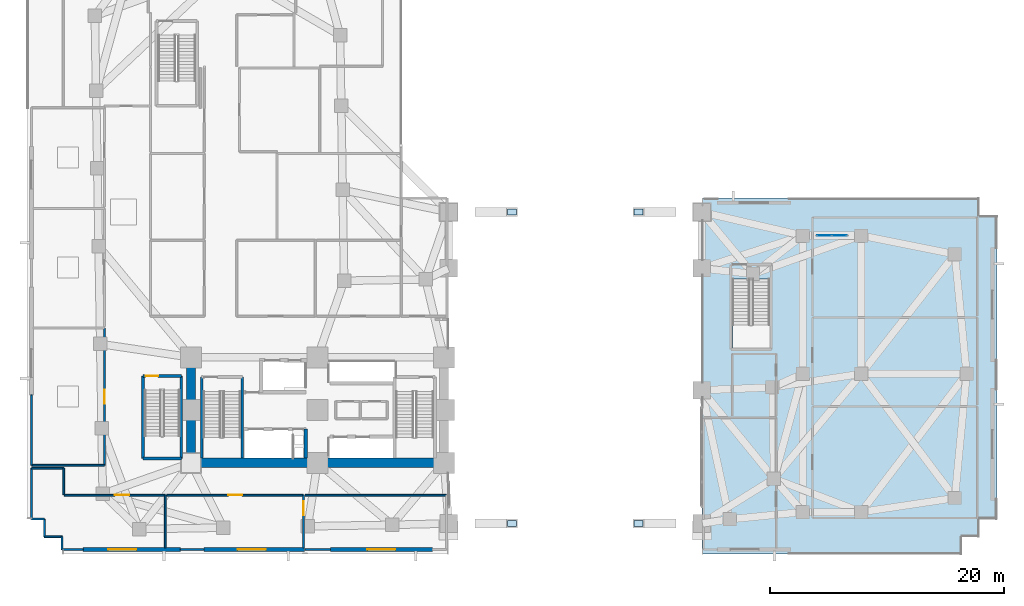
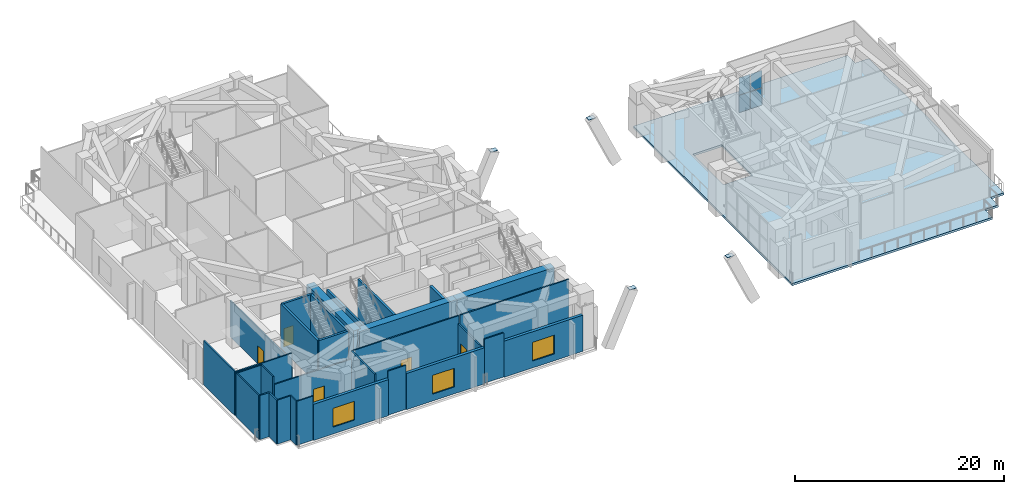
# One storey, part 7 of 18: 31 walls, 8 plates, 5 doors, 3 windows, 1 slab, 8 openings, 1 element without a shape of its own.
"""IFC4 building model written with IfcOpenShell, lengths in metres."""

from ifc_helpers import new_model, si_unit, direction, frame, frame_2d, origin, origin_2d, place, context, subcontext, project, spatial, polyline, rectangle, outline, extrude, material, layer, layer_set, type_object, element, fill, aggregate, save


model = new_model("IFC4")

# Units and contexts
model_context = context("Model", 3, precision=1e-05, world=origin(), true_north=direction((0.0, 1.0)))
body_context = subcontext(model_context, "Body", "Model", "MODEL_VIEW")
ifc_project = project(units=[si_unit("LENGTHUNIT", "METRE"), si_unit("AREAUNIT", "SQUARE_METRE"), si_unit("VOLUMEUNIT", "CUBIC_METRE"), si_unit("PLANEANGLEUNIT", "RADIAN"), si_unit("MASSUNIT", "GRAM", prefix="KILO")], contexts=[model_context])

# Site, building, storey
site_placement = place(None, origin())
site = spatial("IfcSite", under=ifc_project, at=site_placement, CompositionType="ELEMENT")
building_placement = place(site_placement, origin())
building = spatial("IfcBuilding", under=site, at=building_placement, Name="Gaonmaruhae Medical Tower", CompositionType="ELEMENT")
storey_placement = place(building_placement, frame((0.0, 0.0, 16.199951171875)))
storey = spatial("IfcBuildingStorey", under=building, at=storey_placement, Name="L03", CompositionType="ELEMENT", Elevation=16.199951171875)

# Plates
ifc_material_1 = material(Name="Steel HSA650 (650 MPa)", Category="steel")
ifc_layer_1 = layer(ifc_material_1, 0.0400390625)
ifc_layer_set_1 = layer_set([ifc_layer_1], Name="Steel HSA650 (650 MPa)")
plate_type_1 = type_object("IfcPlateType", Name="BP-P1 Column & Arch Base Bearing Plate", PredefinedType="USERDEFINED", material=ifc_layer_set_1)
for number, where, z_axis, x_axis, name in (
    (1, (41.39990234375, 2.6259765625, 3.580078125), (0.0, 0.0, 1.0), (1.0, 0.0, 0.0), "L03 Gusset Cap Plate PLT-ARCH-S2A"),
    (2, (52.199951171875, 2.6259765625, 3.580078125), (0.0, 0.0, 1.0), (1.0, 0.0, 0.0), "L03 Gusset Cap Plate PLT-ARCH-S6A"),
    (3, (41.39990234375, 29.199951171875, 3.580078125), (0.0, 0.0, 1.0), (1.0, 0.0, 0.0), "L03 Gusset Cap Plate PLT-ARCH-N2A"),
    (4, (52.199951171875, 29.199951171875, 3.580078125), (0.0, 0.0, 1.0), (1.0, 0.0, 0.0), "L03 Gusset Cap Plate PLT-ARCH-N6A"),
):
    element("IfcPlate", number, at=place(storey_placement, frame(where, z_axis=z_axis, x_axis=x_axis)), inside=storey, type_object=plate_type_1, Name=name, ObjectType="BASE_PLATE", PredefinedType="USERDEFINED", context=body_context, shape_type="SweptSolid", body=[
        extrude(rectangle(XDim=0.75, YDim=0.52001953125, at=origin_2d()), origin(), (0.0, 0.0, 1.0), 0.0400390625),
    ])

# Curtain wall, plates
ifc_material_2 = material(Name="Anodised aluminium and Low-E double glazing", Category="aluminium")
curtain_wall_type = type_object("IfcCurtainWallType", Name="CW-S6 Podium Diagnostic Atrium Curtain Wall", PredefinedType="NOTDEFINED", material=ifc_material_2)
curtain_wall_placement = place(storey_placement, origin())
curtain_wall = element("IfcCurtainWall", 5, at=curtain_wall_placement, inside=storey, type_object=curtain_wall_type, Name="L03 Curtain Wall CW-L03-S6A", PredefinedType="NOTDEFINED")
ifc_material_3 = material(Name="Low-E double solar glass", Category="glass")
ifc_layer_2 = layer(ifc_material_3, 0.028076171875)
ifc_layer_set_2 = layer_set([ifc_layer_2], Name="Low-E double solar glass")
plate_type_2 = type_object("IfcPlateType", Name="CWP-V1 Low-E Double Vision Glazing Panel", PredefinedType="CURTAIN_PANEL", material=ifc_layer_set_2)
plate_1_placement = place(storey_placement, frame((68.052734375, 27.199951171875, 0.0751953125), z_axis=(0.0, 0.0, 1.0), x_axis=(1.0, 0.0, 0.0)))
plate_1 = element("IfcPlate", 6, at=plate_1_placement, type_object=plate_type_2, Name="CW-S6 panel 1.1", PredefinedType="CURTAIN_PANEL", context=body_context, shape_type="SweptSolid", body=[
    extrude(rectangle(XDim=1.229248046875, YDim=0.028076171875, at=origin_2d()), origin(), (0.0, 0.0, 1.0), 2.00244140625),
])
plate_2_placement = place(storey_placement, frame((68.052734375, 27.199951171875, 2.152587890625), z_axis=(0.0, 0.0, 1.0), x_axis=(1.0, 0.0, 0.0)))
plate_2 = element("IfcPlate", 7, at=plate_2_placement, type_object=plate_type_2, Name="CW-S6 panel 1.2", PredefinedType="CURTAIN_PANEL", context=body_context, shape_type="SweptSolid", body=[
    extrude(rectangle(XDim=1.229248046875, YDim=0.028076171875, at=origin_2d()), origin(), (0.0, 0.0, 1.0), 2.00244140625),
])
plate_3_placement = place(storey_placement, frame((69.34716796875, 27.199951171875, 0.0751953125), z_axis=(0.0, 0.0, 1.0), x_axis=(1.0, 0.0, 0.0)))
plate_3 = element("IfcPlate", 8, at=plate_3_placement, type_object=plate_type_2, Name="CW-S6 panel 2.1", PredefinedType="CURTAIN_PANEL", context=body_context, shape_type="SweptSolid", body=[
    extrude(rectangle(XDim=1.229248046875, YDim=0.028076171875, at=origin_2d()), origin(), (0.0, 0.0, 1.0), 2.00244140625),
])
plate_4_placement = place(storey_placement, frame((69.34716796875, 27.199951171875, 2.152587890625), z_axis=(0.0, 0.0, 1.0), x_axis=(1.0, 0.0, 0.0)))
plate_4 = element("IfcPlate", 9, at=plate_4_placement, type_object=plate_type_2, Name="CW-S6 panel 2.2", PredefinedType="CURTAIN_PANEL", context=body_context, shape_type="SweptSolid", body=[
    extrude(rectangle(XDim=1.229248046875, YDim=0.028076171875, at=origin_2d()), origin(), (0.0, 0.0, 1.0), 2.00244140625),
])
aggregate(curtain_wall, [plate_1, plate_2, plate_3, plate_4])

# Slab
ifc_material_4 = material(Name="Concrete C40/50", Category="concrete")
ifc_layer_3 = layer(ifc_material_4, 0.25)
ifc_layer_set_3 = layer_set([ifc_layer_3], Name="Concrete C40/50")
slab_type = type_object("IfcSlabType", Name="FS-250 Podium & Basement Floor Slab", PredefinedType="FLOOR", material=ifc_layer_set_3)
slab_placement = place(storey_placement, frame((0.0, 0.0, -0.25)))
element("IfcSlab", 10, at=slab_placement, inside=storey, type_object=slab_type, Name="L03 Structural Slab 2", PredefinedType="FLOOR", context=body_context, shape_type="SweptSolid", body=[
    extrude(outline(polyline([(81.300048828125, 30.39990234375), (81.300048828125, 28.89990234375), (82.800048828125, 28.89990234375), (82.800048828125, 3.0), (81.300048828125, 3.0), (81.300048828125, 1.5), (79.800048828125, 1.5), (79.800048828125, 0.0), (57.60009765625, 0.0), (57.60009765625, 30.39990234375), (81.300048828125, 30.39990234375)]), holes=[polyline([(63.39990234375, 23.489990234375), (63.39990234375, 17.60009765625), (60.199951171875, 17.60009765625), (60.199951171875, 23.489990234375), (63.39990234375, 23.489990234375)])]), origin(), (0.0, 0.0, 1.0), 0.25),
])

# Walls
ifc_material_5 = material(Name="Concrete C60/75", Category="concrete")
ifc_layer_4 = layer(ifc_material_5, 0.800048828125)
ifc_layer_set_4 = layer_set([ifc_layer_4], Name="Concrete C60/75")
wall_type_1 = type_object("IfcWallType", Name="CW-800 Lower Core Shear Wall", PredefinedType="SHEAR", material=ifc_layer_set_4)
for number, where, z_axis, x_axis, name in (
    (11, (14.0, 7.800048828125, 0.0), (0.0, 0.0, 1.0), (1.0, 0.0, 0.0), "L03 Core Shear Wall CSW-S1"),
    (12, (24.800048828125, 7.800048828125, 0.0), (0.0, 0.0, 1.0), (1.0, 0.0, 0.0), "L03 Core Shear Wall CSW-S2"),
):
    element("IfcWall", number, at=place(storey_placement, frame(where, z_axis=z_axis, x_axis=x_axis)), inside=storey, type_object=wall_type_1, Name=name, PredefinedType="SHEAR", context=body_context, shape_type="SweptSolid", body=[
        extrude(rectangle(XDim=10.800048828125, YDim=0.800048828125, at=frame_2d((5.39990234375, 0.0))), origin(), (0.0, 0.0, 1.0), 5.150146484375),
    ])
wall_1_placement = place(storey_placement, frame((14.0, 16.800048828125, 0.0), z_axis=(0.0, 0.0, 1.0), x_axis=(0.0, -1.0, 0.0)))
element("IfcWall", 13, at=wall_1_placement, inside=storey, type_object=wall_type_1, Name="L03 Core Shear Wall CSW-W1", PredefinedType="SHEAR", context=body_context, shape_type="SweptSolid", body=[
    extrude(rectangle(XDim=9.0, YDim=0.800048828125, at=frame_2d((4.5, 0.0))), origin(), (0.0, 0.0, 1.0), 5.150146484375),
])

# Wall, opening, window
ifc_material_6 = material(Name="Precast concrete C45/55", Category="concrete")
ifc_layer_5 = layer(ifc_material_6, 0.320068359375)
ifc_layer_set_5 = layer_set([ifc_layer_5], Name="Precast concrete C45/55")
wall_type_2 = type_object("IfcWallType", Name="EW-320 Lower Precast Masonry-Frame Facade Wall", PredefinedType="SOLIDWALL", material=ifc_layer_set_5)
wall_2_placement = place(storey_placement, frame((13.10009765625, 0.39990234375, 0.0), z_axis=(0.0, 0.0, 1.0), x_axis=(-1.0, 0.0, 0.0)))
wall_2 = element("IfcWall", 14, at=wall_2_placement, inside=storey, type_object=wall_type_2, Name="L03 Precast Facade Wall PB-S1", PredefinedType="SOLIDWALL", context=body_context, shape_type="SweptSolid", body=[
    extrude(rectangle(XDim=8.300048828125, YDim=0.320068359375, at=frame_2d((4.14990234375, 0.0))), origin(), (0.0, 0.0, 1.0), 4.22998046875),
])
opening_1_placement = place(wall_2_placement, frame((3.764892578125, 0.0, 0.800048828125)))
opening_1 = element("IfcOpeningElement", 15, at=opening_1_placement, cuts=wall_2, Name="Opening WN-06", PredefinedType="OPENING", context=body_context, shape_type="SweptSolid", body=[
    extrude(rectangle(XDim=2.39990234375, YDim=2.199951171875, at=frame_2d((1.199951171875, 1.10009765625))), frame((0.0, 0.169921875, 0.0), z_axis=(0.0, -1.0, 0.0), x_axis=(1.0, 0.0, 0.0)), (0.0, 0.0, 1.0), 0.340087890625),
])
window_type = type_object("IfcWindowType", Name="WN-06 Podium Diagnostic Punched Window 2400x2200", PartitioningType="SINGLE_PANEL", PredefinedType="WINDOW", material=ifc_material_2)
window_1_placement = place(opening_1_placement, origin())
window_1 = element("IfcWindow", 16, at=window_1_placement, inside=storey, type_object=window_type, Name="L03 Podium Punched Window PB-S1", OverallHeight=2.199951171875, OverallWidth=2.39990234375, PartitioningType="SINGLE_PANEL", PredefinedType="WINDOW", context=body_context, shape_type="SweptSolid", body=[
    extrude(rectangle(XDim=2.39990234375, YDim=2.199951171875, at=frame_2d((1.199951171875, 1.10009765625))), frame((0.0, 0.030029296875, 0.0), z_axis=(0.0, -1.0, 0.0), x_axis=(1.0, 0.0, 0.0)), (0.0, 0.0, 1.0), 0.06005859375),
])
fill(opening_1, window_1)

wall_3_placement = place(storey_placement, frame((23.699951171875, 0.39990234375, 0.0), z_axis=(0.0, 0.0, 1.0), x_axis=(-1.0, 0.0, 0.0)))
wall_3 = element("IfcWall", 17, at=wall_3_placement, inside=storey, type_object=wall_type_2, Name="L03 Precast Facade Wall PB-S2", PredefinedType="SOLIDWALL", context=body_context, shape_type="SweptSolid", body=[
    extrude(rectangle(XDim=8.599853515625, YDim=0.320068359375, at=frame_2d((4.2998046875, 0.0))), origin(), (0.0, 0.0, 1.0), 4.22998046875),
])
opening_2_placement = place(wall_3_placement, frame((3.31494140625, 0.0, 0.800048828125)))
opening_2 = element("IfcOpeningElement", 18, at=opening_2_placement, cuts=wall_3, Name="Opening WN-06", PredefinedType="OPENING", context=body_context, shape_type="SweptSolid", body=[
    extrude(rectangle(XDim=2.39990234375, YDim=2.199951171875, at=frame_2d((1.199951171875, 1.10009765625))), frame((0.0, 0.169921875, 0.0), z_axis=(0.0, -1.0, 0.0), x_axis=(1.0, 0.0, 0.0)), (0.0, 0.0, 1.0), 0.340087890625),
])
window_2_placement = place(opening_2_placement, origin())
window_2 = element("IfcWindow", 19, at=window_2_placement, inside=storey, type_object=window_type, Name="L03 Podium Punched Window PB-S2", OverallHeight=2.199951171875, OverallWidth=2.39990234375, PartitioningType="SINGLE_PANEL", PredefinedType="WINDOW", context=body_context, shape_type="SweptSolid", body=[
    extrude(rectangle(XDim=2.39990234375, YDim=2.199951171875, at=frame_2d((1.199951171875, 1.10009765625))), frame((0.0, 0.030029296875, 0.0), z_axis=(0.0, -1.0, 0.0), x_axis=(1.0, 0.0, 0.0)), (0.0, 0.0, 1.0), 0.06005859375),
])
fill(opening_2, window_2)

wall_4_placement = place(storey_placement, frame((34.60009765625, 0.39990234375, 0.0), z_axis=(0.0, 0.0, 1.0), x_axis=(-1.0, 0.0, 0.0)))
wall_4 = element("IfcWall", 20, at=wall_4_placement, inside=storey, type_object=wall_type_2, Name="L03 Precast Facade Wall PB-S3", PredefinedType="SOLIDWALL", context=body_context, shape_type="SweptSolid", body=[
    extrude(rectangle(XDim=8.7001953125, YDim=0.320068359375, at=frame_2d((4.35009765625, 0.0))), origin(), (0.0, 0.0, 1.0), 4.22998046875),
])
opening_3_placement = place(wall_4_placement, frame((3.14990234375, 0.0, 0.800048828125)))
opening_3 = element("IfcOpeningElement", 21, at=opening_3_placement, cuts=wall_4, Name="Opening WN-06", PredefinedType="OPENING", context=body_context, shape_type="SweptSolid", body=[
    extrude(rectangle(XDim=2.39990234375, YDim=2.199951171875, at=frame_2d((1.199951171875, 1.10009765625))), frame((0.0, 0.169921875, 0.0), z_axis=(0.0, -1.0, 0.0), x_axis=(1.0, 0.0, 0.0)), (0.0, 0.0, 1.0), 0.340087890625),
])
window_3_placement = place(opening_3_placement, origin())
window_3 = element("IfcWindow", 22, at=window_3_placement, inside=storey, type_object=window_type, Name="L03 Podium Punched Window PB-S3", OverallHeight=2.199951171875, OverallWidth=2.39990234375, PartitioningType="SINGLE_PANEL", PredefinedType="WINDOW", context=body_context, shape_type="SweptSolid", body=[
    extrude(rectangle(XDim=2.39990234375, YDim=2.199951171875, at=frame_2d((1.199951171875, 1.10009765625))), frame((0.0, 0.030029296875, 0.0), z_axis=(0.0, -1.0, 0.0), x_axis=(1.0, 0.0, 0.0)), (0.0, 0.0, 1.0), 0.06005859375),
])
fill(opening_3, window_3)

# Wall, opening, door
ifc_material_7 = material(Name="Gypsum board partition", Category="gypsum")
ifc_layer_6 = layer(ifc_material_7, 0.14990234375)
ifc_layer_set_6 = layer_set([ifc_layer_6], Name="Gypsum board partition")
wall_type_3 = type_object("IfcWallType", Name="PW-150 Rated Clinical Corridor Partition", PredefinedType="PARTITIONING", material=ifc_layer_set_6)
wall_5_placement = place(storey_placement, frame((6.6201171875, 19.300048828125, 0.0), z_axis=(0.0, 0.0, 1.0), x_axis=(0.0, -1.0, 0.0)))
wall_5 = element("IfcWall", 23, at=wall_5_placement, inside=storey, type_object=wall_type_3, Name="L03 Interior Partition L03-WP1-9", PredefinedType="PARTITIONING", context=body_context, shape_type="SweptSolid", body=[
    extrude(rectangle(XDim=11.699951171875, YDim=0.14990234375, at=frame_2d((5.85009765625, 0.0))), origin(), (0.0, 0.0, 1.0), 4.235107421875),
])
opening_4_placement = place(wall_5_placement, frame((5.25, 0.0, 0.0)))
opening_4 = element("IfcOpeningElement", 24, at=opening_4_placement, cuts=wall_5, Name="Opening CD-02", PredefinedType="OPENING", context=body_context, shape_type="SweptSolid", body=[
    extrude(rectangle(XDim=1.199951171875, YDim=2.14990234375, at=frame_2d((0.60009765625, 1.074951171875))), frame((0.0, 0.0849609375, 0.0), z_axis=(0.0, -1.0, 0.0), x_axis=(1.0, 0.0, 0.0)), (0.0, 0.0, 1.0), 0.169921875),
])
ifc_material_8 = material(Name="Antimicrobial laminate timber fire door", Category="wood")
door_type_1 = type_object("IfcDoorType", Name="CD-02 Clinical Treatment & Procedure Door 1200x2150", OperationType="NOTDEFINED", PredefinedType="DOOR", material=ifc_material_8)
door_1_placement = place(opening_4_placement, origin())
door_1 = element("IfcDoor", 25, at=door_1_placement, inside=storey, type_object=door_type_1, Name="L03 L03 Outpatient Consultation Clinic A Door", OperationType="SINGLE_SWING_LEFT", OverallHeight=2.14990234375, OverallWidth=1.199951171875, PredefinedType="DOOR", context=body_context, shape_type="SweptSolid", body=[
    extrude(rectangle(XDim=1.199951171875, YDim=2.14990234375, at=frame_2d((0.60009765625, 1.074951171875))), frame((0.0, 0.02490234375, 0.0), z_axis=(0.0, -1.0, 0.0), x_axis=(1.0, 0.0, 0.0)), (0.0, 0.0, 1.0), 0.050048828125),
])
fill(opening_4, door_1)

# Walls
wall_6_placement = place(storey_placement, frame((6.6201171875, 7.60009765625, 0.0), z_axis=(0.0, 0.0, 1.0), x_axis=(-1.0, 0.0, 0.0)))
element("IfcWall", 26, at=wall_6_placement, inside=storey, type_object=wall_type_3, Name="L03 Interior Partition L03-WP1-10", PredefinedType="PARTITIONING", context=body_context, shape_type="SweptSolid", body=[
    extrude(rectangle(XDim=6.22021484375, YDim=0.14990234375, at=frame_2d((3.110107421875, 0.0))), origin(), (0.0, 0.0, 1.0), 5.150146484375),
])
wall_7_placement = place(storey_placement, frame((0.39990234375, 7.60009765625, 0.0), z_axis=(0.0, 0.0, 1.0), x_axis=(0.0, 1.0, 0.0)))
element("IfcWall", 27, at=wall_7_placement, inside=storey, type_object=wall_type_3, Name="L03 Interior Partition L03-WP1-11", PredefinedType="PARTITIONING", context=body_context, shape_type="SweptSolid", body=[
    extrude(rectangle(XDim=6.0, YDim=0.14990234375, at=frame_2d((3.0, 0.0))), origin(), (0.0, 0.0, 1.0), 5.150146484375),
])

# Wall, opening, door
wall_8_placement = place(storey_placement, frame((3.199951171875, 5.0400390625, 0.0), z_axis=(0.0, 0.0, 1.0), x_axis=(1.0, 0.0, 0.0)))
wall_8 = element("IfcWall", 28, at=wall_8_placement, inside=storey, type_object=wall_type_3, Name="L03 Interior Partition L03-S1-40", PredefinedType="PARTITIONING", context=body_context, shape_type="SweptSolid", body=[
    extrude(rectangle(XDim=8.60009765625, YDim=0.14990234375, at=frame_2d((4.300048828125, 0.0))), origin(), (0.0, 0.0, 1.0), 4.235107421875),
])
opening_5_placement = place(wall_8_placement, frame((4.315673828125, 0.0, 0.0)))
opening_5 = element("IfcOpeningElement", 29, at=opening_5_placement, cuts=wall_8, Name="Opening CD-02", PredefinedType="OPENING", context=body_context, shape_type="SweptSolid", body=[
    extrude(rectangle(XDim=1.199951171875, YDim=2.14990234375, at=frame_2d((0.60009765625, 1.074951171875))), frame((0.0, 0.0849609375, 0.0), z_axis=(0.0, -1.0, 0.0), x_axis=(1.0, 0.0, 0.0)), (0.0, 0.0, 1.0), 0.169921875),
])
door_2_placement = place(opening_5_placement, origin())
door_2 = element("IfcDoor", 30, at=door_2_placement, inside=storey, type_object=door_type_1, Name="L03 Surgical Operating Room Door", OperationType="SINGLE_SWING_RIGHT", OverallHeight=2.14990234375, OverallWidth=1.199951171875, PredefinedType="DOOR", context=body_context, shape_type="SweptSolid", body=[
    extrude(rectangle(XDim=1.199951171875, YDim=2.14990234375, at=frame_2d((0.60009765625, 1.074951171875))), frame((0.0, 0.02490234375, 0.0), z_axis=(0.0, -1.0, 0.0), x_axis=(1.0, 0.0, 0.0)), (0.0, 0.0, 1.0), 0.050048828125),
])
fill(opening_5, door_2)

# Walls
wall_9_placement = place(storey_placement, frame((11.800048828125, 5.0400390625, 0.0), z_axis=(0.0, 0.0, 1.0), x_axis=(0.0, -1.0, 0.0)))
element("IfcWall", 31, at=wall_9_placement, inside=storey, type_object=wall_type_3, Name="L03 Interior Partition L03-S1-41", PredefinedType="PARTITIONING", context=body_context, shape_type="SweptSolid", body=[
    extrude(rectangle(XDim=4.505126953125, YDim=0.14990234375, at=frame_2d((2.25244140625, 0.0))), origin(), (0.0, 0.0, 1.0), 5.150146484375),
])
wall_10_placement = place(storey_placement, frame((4.800048828125, 0.39990234375, 0.0), z_axis=(0.0, 0.0, 1.0), x_axis=(-1.0, 0.0, 0.0)))
element("IfcWall", 32, at=wall_10_placement, inside=storey, type_object=wall_type_3, Name="L03 Interior Partition L03-S1-42", PredefinedType="PARTITIONING", context=body_context, shape_type="SweptSolid", body=[
    extrude(rectangle(XDim=1.800048828125, YDim=0.14990234375, at=frame_2d((0.89990234375, 0.0))), origin(), (0.0, 0.0, 1.0), 5.150146484375),
])
wall_11_placement = place(storey_placement, frame((3.0, 0.39990234375, 0.0), z_axis=(0.0, 0.0, 1.0), x_axis=(0.0, 1.0, 0.0)))
element("IfcWall", 33, at=wall_11_placement, inside=storey, type_object=wall_type_3, Name="L03 Interior Partition L03-S1-43", PredefinedType="PARTITIONING", context=body_context, shape_type="SweptSolid", body=[
    extrude(rectangle(XDim=1.10009765625, YDim=0.14990234375, at=frame_2d((0.550048828125, 0.0))), origin(), (0.0, 0.0, 1.0), 5.150146484375),
])
for number, where, z_axis, x_axis, name in (
    (34, (3.0, 1.5, 0.0), (0.0, 0.0, 1.0), (-1.0, 0.0, 0.0), "L03 Interior Partition L03-S1-44"),
    (35, (1.5, 1.5, 0.0), (0.0, 0.0, 1.0), (0.0, 1.0, 0.0), "L03 Interior Partition L03-S1-45"),
):
    element("IfcWall", number, at=place(storey_placement, frame(where, z_axis=z_axis, x_axis=x_axis)), inside=storey, type_object=wall_type_3, Name=name, PredefinedType="PARTITIONING", context=body_context, shape_type="SweptSolid", body=[
        extrude(rectangle(XDim=1.5, YDim=0.14990234375, at=frame_2d((0.75, 0.0))), origin(), (0.0, 0.0, 1.0), 5.150146484375),
    ])
wall_12_placement = place(storey_placement, frame((1.5, 3.0, 0.0), z_axis=(0.0, 0.0, 1.0), x_axis=(-1.0, 0.0, 0.0)))
element("IfcWall", 36, at=wall_12_placement, inside=storey, type_object=wall_type_3, Name="L03 Interior Partition L03-S1-46", PredefinedType="PARTITIONING", context=body_context, shape_type="SweptSolid", body=[
    extrude(rectangle(XDim=1.10009765625, YDim=0.14990234375, at=frame_2d((0.550048828125, 0.0))), origin(), (0.0, 0.0, 1.0), 5.150146484375),
])
wall_13_placement = place(storey_placement, frame((0.39990234375, 3.0, 0.0), z_axis=(0.0, 0.0, 1.0), x_axis=(0.0, 1.0, 0.0)))
element("IfcWall", 37, at=wall_13_placement, inside=storey, type_object=wall_type_3, Name="L03 Interior Partition L03-S1-47", PredefinedType="PARTITIONING", context=body_context, shape_type="SweptSolid", body=[
    extrude(rectangle(XDim=4.35009765625, YDim=0.14990234375, at=frame_2d((2.175048828125, 0.0))), origin(), (0.0, 0.0, 1.0), 5.150146484375),
])
wall_14_placement = place(storey_placement, frame((0.39990234375, 7.35009765625, 0.0), z_axis=(0.0, 0.0, 1.0), x_axis=(1.0, 0.0, 0.0)))
element("IfcWall", 38, at=wall_14_placement, inside=storey, type_object=wall_type_3, Name="L03 Interior Partition L03-S1-48", PredefinedType="PARTITIONING", context=body_context, shape_type="SweptSolid", body=[
    extrude(rectangle(XDim=2.739990234375, YDim=0.14990234375, at=frame_2d((1.3701171875, 0.0))), origin(), (0.0, 0.0, 1.0), 5.150146484375),
])
wall_15_placement = place(storey_placement, frame((3.139892578125, 7.35009765625, 0.0), z_axis=(0.0, 0.0, 1.0), x_axis=(0.0, -1.0, 0.0)))
element("IfcWall", 39, at=wall_15_placement, inside=storey, type_object=wall_type_3, Name="L03 Interior Partition L03-S1-49", PredefinedType="PARTITIONING", context=body_context, shape_type="SweptSolid", body=[
    extrude(rectangle(XDim=2.256103515625, YDim=0.14990234375, at=frame_2d((1.1279296875, 0.0))), origin(), (0.0, 0.0, 1.0), 5.150146484375),
])
wall_16_placement = place(storey_placement, frame((15.10009765625, 0.39990234375, 0.0), z_axis=(0.0, 0.0, 1.0), x_axis=(-1.0, 0.0, 0.0)))
element("IfcWall", 40, at=wall_16_placement, inside=storey, type_object=wall_type_3, Name="L03 Interior Partition L03-S2-50", PredefinedType="PARTITIONING", context=body_context, shape_type="SweptSolid", body=[
    extrude(rectangle(XDim=2.0, YDim=0.14990234375, at=frame_2d((1.0, 0.0))), origin(), (0.0, 0.0, 1.0), 5.150146484375),
])

# Wall, opening, door
wall_17_placement = place(storey_placement, frame((11.949951171875, 5.0400390625, 0.0), z_axis=(0.0, 0.0, 1.0), x_axis=(1.0, 0.0, 0.0)))
wall_17 = element("IfcWall", 41, at=wall_17_placement, inside=storey, type_object=wall_type_3, Name="L03 Interior Partition L03-S2-51", PredefinedType="PARTITIONING", context=body_context, shape_type="SweptSolid", body=[
    extrude(rectangle(XDim=11.650146484375, YDim=0.14990234375, at=frame_2d((5.8251953125, 0.0))), origin(), (0.0, 0.0, 1.0), 5.150146484375),
])
opening_6_placement = place(wall_17_placement, frame((5.22509765625, 0.0, 0.0)))
opening_6 = element("IfcOpeningElement", 42, at=opening_6_placement, cuts=wall_17, Name="Opening CD-02", PredefinedType="OPENING", context=body_context, shape_type="SweptSolid", body=[
    extrude(rectangle(XDim=1.199951171875, YDim=2.14990234375, at=frame_2d((0.60009765625, 1.074951171875))), frame((0.0, 0.0849609375, 0.0), z_axis=(0.0, -1.0, 0.0), x_axis=(1.0, 0.0, 0.0)), (0.0, 0.0, 1.0), 0.169921875),
])
door_3_placement = place(opening_6_placement, origin())
door_3 = element("IfcDoor", 43, at=door_3_placement, inside=storey, type_object=door_type_1, Name="L03 Endovascular Hybrid Operating Room Door", OperationType="SINGLE_SWING_LEFT", OverallHeight=2.14990234375, OverallWidth=1.199951171875, PredefinedType="DOOR", context=body_context, shape_type="SweptSolid", body=[
    extrude(rectangle(XDim=1.199951171875, YDim=2.14990234375, at=frame_2d((0.60009765625, 1.074951171875))), frame((0.0, 0.02490234375, 0.0), z_axis=(0.0, -1.0, 0.0), x_axis=(1.0, 0.0, 0.0)), (0.0, 0.0, 1.0), 0.050048828125),
])
fill(opening_6, door_3)

wall_18_placement = place(storey_placement, frame((23.60009765625, 5.0400390625, 0.0), z_axis=(0.0, 0.0, 1.0), x_axis=(0.0, -1.0, 0.0)))
wall_18 = element("IfcWall", 44, at=wall_18_placement, inside=storey, type_object=wall_type_3, Name="L03 Interior Partition L03-S2-52", PredefinedType="PARTITIONING", context=body_context, shape_type="SweptSolid", body=[
    extrude(rectangle(XDim=4.505126953125, YDim=0.14990234375, at=frame_2d((2.25244140625, 0.0))), origin(), (0.0, 0.0, 1.0), 4.235107421875),
])
opening_7_placement = place(wall_18_placement, frame((0.49951171875, 0.0, 0.0)))
opening_7 = element("IfcOpeningElement", 45, at=opening_7_placement, cuts=wall_18, Name="Opening CD-02", PredefinedType="OPENING", context=body_context, shape_type="SweptSolid", body=[
    extrude(rectangle(XDim=1.199951171875, YDim=2.14990234375, at=frame_2d((0.60009765625, 1.074951171875))), frame((0.0, 0.0849609375, 0.0), z_axis=(0.0, -1.0, 0.0), x_axis=(1.0, 0.0, 0.0)), (0.0, 0.0, 1.0), 0.169921875),
])
door_4_placement = place(opening_7_placement, origin())
door_4 = element("IfcDoor", 46, at=door_4_placement, inside=storey, type_object=door_type_1, Name="L03 Robotic Surgery Operating Room Sliding Door", OperationType="SLIDING_TO_LEFT", OverallHeight=2.14990234375, OverallWidth=1.199951171875, PredefinedType="DOOR", context=body_context, shape_type="SweptSolid", body=[
    extrude(rectangle(XDim=1.199951171875, YDim=2.14990234375, at=frame_2d((0.60009765625, 1.074951171875))), frame((0.0, 0.02490234375, 0.0), z_axis=(0.0, -1.0, 0.0), x_axis=(1.0, 0.0, 0.0)), (0.0, 0.0, 1.0), 0.050048828125),
])
fill(opening_7, door_4)

# Walls
wall_19_placement = place(storey_placement, frame((25.89990234375, 0.39990234375, 0.0), z_axis=(0.0, 0.0, 1.0), x_axis=(-1.0, 0.0, 0.0)))
element("IfcWall", 47, at=wall_19_placement, inside=storey, type_object=wall_type_3, Name="L03 Interior Partition L03-S3-54", PredefinedType="PARTITIONING", context=body_context, shape_type="SweptSolid", body=[
    extrude(rectangle(XDim=2.14990234375, YDim=0.14990234375, at=frame_2d((1.074951171875, 0.0))), origin(), (0.0, 0.0, 1.0), 5.150146484375),
])
wall_20_placement = place(storey_placement, frame((23.75, 5.0400390625, 0.0), z_axis=(0.0, 0.0, 1.0), x_axis=(1.0, 0.0, 0.0)))
element("IfcWall", 48, at=wall_20_placement, inside=storey, type_object=wall_type_3, Name="L03 Interior Partition L03-S3-55", PredefinedType="PARTITIONING", context=body_context, shape_type="SweptSolid", body=[
    extrude(rectangle(XDim=12.050048828125, YDim=0.14990234375, at=frame_2d((6.02490234375, 0.0))), origin(), (0.0, 0.0, 1.0), 5.150146484375),
])
ifc_material_9 = material(Name="Concrete C50/60", Category="concrete")
ifc_layer_7 = layer(ifc_material_9, 0.239990234375)
ifc_layer_set_7 = layer_set([ifc_layer_7], Name="Concrete C50/60")
wall_type_4 = type_object("IfcWallType", Name="SW-240 Dogleg Stair Tight Shaft Wall", PredefinedType="SOLIDWALL", material=ifc_layer_set_7)
for number, where, z_axis, x_axis, name in (
    (49, (18.3798828125, 15.1201171875, 0.0), (0.0, 0.0, 1.0), (0.0, -1.0, 0.0), "L03 ST-01 Stair Shaft Wall SHW-ST-01-E"),
    (50, (14.919921875, 8.199951171875, 0.0), (0.0, 0.0, 1.0), (0.0, 1.0, 0.0), "L03 ST-01 Stair Shaft Wall SHW-ST-01-W"),
):
    element("IfcWall", number, at=place(storey_placement, frame(where, z_axis=z_axis, x_axis=x_axis)), inside=storey, type_object=wall_type_4, Name=name, PredefinedType="SOLIDWALL", context=body_context, shape_type="SweptSolid", body=[
        extrude(rectangle(XDim=6.920166015625, YDim=0.239990234375, at=frame_2d((3.4599609375, 0.0))), origin(), (0.0, 0.0, 1.0), 5.150146484375),
    ])

# Wall, opening, door
wall_21_placement = place(storey_placement, frame((9.919921875, 15.219970703125, 0.0), z_axis=(0.0, 0.0, 1.0), x_axis=(1.0, 0.0, 0.0)))
wall_21 = element("IfcWall", 51, at=wall_21_placement, inside=storey, type_object=wall_type_4, Name="L03 ST-03 Stair Shaft Wall SHW-ST-03-N", PredefinedType="SOLIDWALL", context=body_context, shape_type="SweptSolid", body=[
    extrude(rectangle(XDim=3.260009765625, YDim=0.239990234375, at=frame_2d((1.6298828125, 0.0))), origin(), (0.0, 0.0, 1.0), 5.150146484375),
])
opening_8_placement = place(wall_21_placement, frame((0.219970703125, 0.0, 0.0)))
opening_8 = element("IfcOpeningElement", 52, at=opening_8_placement, cuts=wall_21, Name="Opening FD-02", PredefinedType="OPENING", context=body_context, shape_type="SweptSolid", body=[
    extrude(rectangle(XDim=1.050048828125, YDim=2.14990234375, at=frame_2d((0.52490234375, 1.074951171875))), frame((0.0, 0.1298828125, 0.0), z_axis=(0.0, -1.0, 0.0), x_axis=(1.0, 0.0, 0.0)), (0.0, 0.0, 1.0), 0.260009765625),
])
ifc_material_10 = material(Name="Powder-coated steel fire door", Category="steel")
door_type_2 = type_object("IfcDoorType", Name="FD-02 Secondary Stair Fire Door 1050x2150", OperationType="NOTDEFINED", PredefinedType="DOOR", material=ifc_material_10)
door_5_placement = place(opening_8_placement, origin())
door_5 = element("IfcDoor", 53, at=door_5_placement, inside=storey, type_object=door_type_2, Name="L03 ST-03 Protected Escape Stair Door", OperationType="SINGLE_SWING_RIGHT", OverallHeight=2.14990234375, OverallWidth=1.050048828125, PredefinedType="DOOR", context=body_context, shape_type="SweptSolid", body=[
    extrude(rectangle(XDim=1.050048828125, YDim=2.14990234375, at=frame_2d((0.52490234375, 1.074951171875))), frame((0.0, 0.02490234375, 0.0), z_axis=(0.0, -1.0, 0.0), x_axis=(1.0, 0.0, 0.0)), (0.0, 0.0, 1.0), 0.050048828125),
])
fill(opening_8, door_5)

# Walls
wall_22_placement = place(storey_placement, frame((13.179931640625, 15.219970703125, 0.0), z_axis=(0.0, 0.0, 1.0), x_axis=(0.0, -1.0, 0.0)))
element("IfcWall", 54, at=wall_22_placement, inside=storey, type_object=wall_type_4, Name="L03 ST-03 Stair Shaft Wall SHW-ST-03-E", PredefinedType="SOLIDWALL", context=body_context, shape_type="SweptSolid", body=[
    extrude(rectangle(XDim=7.050048828125, YDim=0.239990234375, at=frame_2d((3.52490234375, 0.0))), origin(), (0.0, 0.0, 1.0), 5.150146484375),
])
wall_23_placement = place(storey_placement, frame((13.179931640625, 8.169921875, 0.0), z_axis=(0.0, 0.0, 1.0), x_axis=(-1.0, 0.0, 0.0)))
element("IfcWall", 55, at=wall_23_placement, inside=storey, type_object=wall_type_4, Name="L03 ST-03 Stair Shaft Wall SHW-ST-03-S", PredefinedType="SOLIDWALL", context=body_context, shape_type="SweptSolid", body=[
    extrude(rectangle(XDim=3.260009765625, YDim=0.239990234375, at=frame_2d((1.6298828125, 0.0))), origin(), (0.0, 0.0, 1.0), 5.150146484375),
])
wall_24_placement = place(storey_placement, frame((9.919921875, 8.169921875, 0.0), z_axis=(0.0, 0.0, 1.0), x_axis=(0.0, 1.0, 0.0)))
element("IfcWall", 56, at=wall_24_placement, inside=storey, type_object=wall_type_4, Name="L03 ST-03 Stair Shaft Wall SHW-ST-03-W", PredefinedType="SOLIDWALL", context=body_context, shape_type="SweptSolid", body=[
    extrude(rectangle(XDim=7.050048828125, YDim=0.239990234375, at=frame_2d((3.52490234375, 0.0))), origin(), (0.0, 0.0, 1.0), 5.150146484375),
])
ifc_layer_8 = layer(ifc_material_9, 0.300048828125)
ifc_layer_set_8 = layer_set([ifc_layer_8], Name="Concrete C50/60")
wall_type_5 = type_object("IfcWallType", Name="SW-300 Stair & Lift Hoistway Shaft Wall", PredefinedType="SOLIDWALL", material=ifc_layer_set_8)
wall_25_placement = place(storey_placement, frame((23.800048828125, 8.199951171875, 0.0), z_axis=(0.0, 0.0, 1.0), x_axis=(0.0, 1.0, 0.0)))
element("IfcWall", 57, at=wall_25_placement, inside=storey, type_object=wall_type_5, Name="L03 Shaft Enclosure Wall SHW-FFE", PredefinedType="SOLIDWALL", context=body_context, shape_type="SweptSolid", body=[
    extrude(rectangle(XDim=2.47998046875, YDim=0.300048828125, at=frame_2d((1.239990234375, 0.0))), origin(), (0.0, 0.0, 1.0), 5.150146484375),
])

save(model, "model.ifc")
